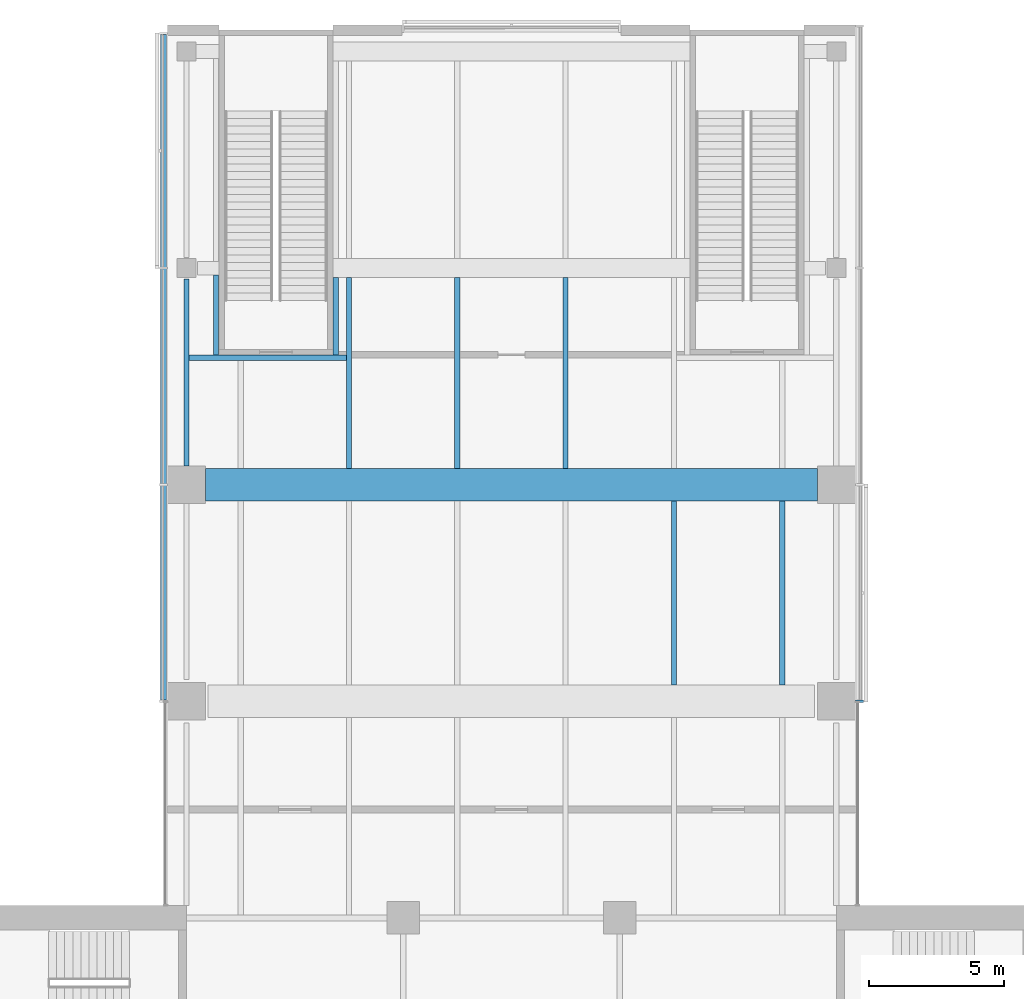
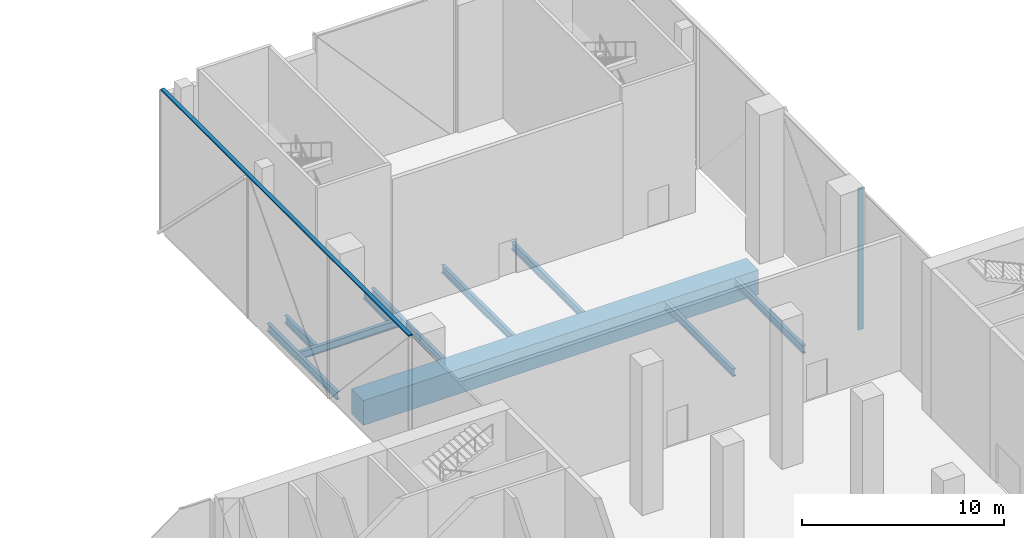
# One storey, part 9 of 26: 10 beams, 2 members, 2 elements without a shape of their own.
"""IFC4 building model written with IfcOpenShell, lengths in metres."""

from ifc_helpers import new_model, si_unit, direction, frame, origin, origin_2d, place, context, subcontext, project, spatial, rectangle, i_section, extrude, material, material_profile, profile_set, type_object, element, aggregate, save


model = new_model("IFC4")

# Units and contexts
model_context = context("Model", 3, precision=1e-05, world=origin(), true_north=direction((0.0, 1.0)))
body_context = subcontext(model_context, "Body", "Model", "MODEL_VIEW")
ifc_project = project(units=[si_unit("LENGTHUNIT", "METRE"), si_unit("AREAUNIT", "SQUARE_METRE"), si_unit("VOLUMEUNIT", "CUBIC_METRE"), si_unit("PLANEANGLEUNIT", "RADIAN"), si_unit("MASSUNIT", "GRAM", prefix="KILO")], contexts=[model_context])

# Site, building, storey
site_placement = place(None, origin())
site = spatial("IfcSite", under=ifc_project, at=site_placement, CompositionType="ELEMENT")
building_placement = place(site_placement, origin())
building = spatial("IfcBuilding", under=site, at=building_placement, Name="Crosswind Convention Tower", CompositionType="ELEMENT")
storey_placement = place(building_placement, frame((0.0, 0.0, 25.0)))
storey = spatial("IfcBuildingStorey", under=building, at=storey_placement, Name="L03", CompositionType="ELEMENT", Elevation=25.0)

# Beam
ifc_material_1 = material(Name="Steel S355", Category="steel")
ifc_material_profile_1 = material_profile(ifc_material_1, i_section(OverallWidth=0.19287109375, OverallDepth=0.467529296875, WebThickness=0.011474609375, FlangeThickness=0.01953125, FilletRadius=0.01025390625, at=origin_2d()), Name="UB 457x191x98")
ifc_profile_set_1 = profile_set([ifc_material_profile_1], Name="Steel S355")
beam_type_1 = type_object("IfcBeamType", Name="Edge beam UB 457x191x98", PredefinedType="SPANDREL", material=ifc_profile_set_1)
beam_1_placement = place(storey_placement, frame((113.0, 128.699951171875, -0.6337890625), z_axis=(0.0, 1.0, 0.0), x_axis=(-1.0, 0.0, 0.0)))
element("IfcBeam", 1, at=beam_1_placement, inside=storey, type_object=beam_type_1, Name="B20 L03 edge beam 11", PredefinedType="SPANDREL", context=body_context, shape_type="SweptSolid", body=[
    extrude(i_section(OverallWidth=0.19287109375, OverallDepth=0.467529296875, WebThickness=0.011474609375, FlangeThickness=0.01953125, FilletRadius=0.01025390625, at=origin_2d()), origin(), (0.0, 0.0, 1.0), 6.900146484375),
])

# Curtain wall, member
ifc_material_2 = material(Name="Aluminium unitised curtain wall", Category="aluminium")
curtain_wall_type = type_object("IfcCurtainWallType", Name="PODIUM UNITISED WALL 300", PredefinedType="USERDEFINED", material=ifc_material_2)
curtain_wall_1_placement = place(storey_placement, origin())
curtain_wall_1 = element("IfcCurtainWall", 2, at=curtain_wall_1_placement, inside=storey, type_object=curtain_wall_type, Name="CW1 L03 N-E 1", ObjectType="UNITISED", PredefinedType="USERDEFINED")
ifc_material_3 = material(Name="Aluminium mullion", Category="aluminium")
ifc_material_profile_2 = material_profile(ifc_material_3, rectangle(XDim=0.300048828125, YDim=0.080078125, at=origin_2d()), Name="AL 300X80")
ifc_profile_set_2 = profile_set([ifc_material_profile_2], Name="Aluminium mullion")
member_type_1 = type_object("IfcMemberType", Name="MULLION 80X300", PredefinedType="MULLION", material=ifc_profile_set_2)
member_1_placement = place(storey_placement, frame((137.85009765625, 120.0, -0.044921875), z_axis=(0.0, 0.0, 1.0), x_axis=(1.0, 0.0, 0.0)))
member_1 = element("IfcMember", 3, at=member_1_placement, type_object=member_type_1, Name="CW1 mullion 1", PredefinedType="MULLION", context=body_context, shape_type="SweptSolid", body=[
    extrude(rectangle(XDim=0.300048828125, YDim=0.080078125, at=origin_2d()), origin(), (0.0, 0.0, 1.0), 8.56494140625),
])
aggregate(curtain_wall_1, [member_1])

# Beams
ifc_material_4 = material(Name="Concrete C70/85", Category="concrete")
ifc_material_profile_3 = material_profile(ifc_material_4, rectangle(XDim=1.199951171875, YDim=1.5, at=origin_2d()), Name="RC 1200X1500")
ifc_profile_set_3 = profile_set([ifc_material_profile_3], Name="Concrete C70/85")
beam_type_2 = type_object("IfcBeamType", Name="Prestressed concrete girder RC 1200X1500", PredefinedType="BEAM", material=ifc_profile_set_3)
beam_2_placement = place(storey_placement, frame((113.699951171875, 128.0, -1.14990234375), z_axis=(1.0, 0.0, 0.0), x_axis=(0.0, 1.0, 0.0)))
element("IfcBeam", 4, at=beam_2_placement, inside=storey, type_object=beam_type_2, Name="B39 L03 prestressed concrete girder 2", PredefinedType="BEAM", context=body_context, shape_type="SweptSolid", body=[
    extrude(rectangle(XDim=1.199951171875, YDim=1.5, at=origin_2d()), origin(), (0.0, 0.0, 1.0), 22.60009765625),
])
ifc_material_profile_4 = material_profile(ifc_material_1, i_section(OverallWidth=0.19140625, OverallDepth=0.460205078125, WebThickness=0.010009765625, FlangeThickness=0.01611328125, FilletRadius=0.01025390625, at=origin_2d()), Name="UB 457x191x82")
ifc_profile_set_4 = profile_set([ifc_material_profile_4], Name="Steel S355")
beam_type_3 = type_object("IfcBeamType", Name="Secondary beam UB 457x191x82", PredefinedType="JOIST", material=ifc_profile_set_4)
for number, where, z_axis, x_axis, name in (
    (5, (119.0, 128.60009765625, -0.630126953125), (0.0, 1.0, 0.0), (-1.0, 0.0, 0.0), "B13 L03 secondary beam 26"),
    (6, (123.0, 128.60009765625, -0.630126953125), (0.0, 1.0, 0.0), (-1.0, 0.0, 0.0), "B13 L03 secondary beam 37"),
    (7, (127.0, 128.60009765625, -0.630126953125), (0.0, 1.0, 0.0), (-1.0, 0.0, 0.0), "B13 L03 secondary beam 45"),
):
    element("IfcBeam", number, at=place(storey_placement, frame(where, z_axis=z_axis, x_axis=x_axis)), inside=storey, type_object=beam_type_3, Name=name, PredefinedType="JOIST", context=body_context, shape_type="SweptSolid", body=[
        extrude(i_section(OverallWidth=0.19140625, OverallDepth=0.460205078125, WebThickness=0.010009765625, FlangeThickness=0.01611328125, FilletRadius=0.01025390625, at=origin_2d()), origin(), (0.0, 0.0, 1.0), 7.0498046875),
    ])
for number, where, z_axis, x_axis, name in (
    (8, (131.0, 120.60009765625, -0.630126953125), (0.0, 1.0, 0.0), (-1.0, 0.0, 0.0), "B13 L03 secondary beam 55"),
    (9, (135.0, 120.60009765625, -0.630126953125), (0.0, 1.0, 0.0), (-1.0, 0.0, 0.0), "B13 L03 secondary beam 62"),
):
    element("IfcBeam", number, at=place(storey_placement, frame(where, z_axis=z_axis, x_axis=x_axis)), inside=storey, type_object=beam_type_3, Name=name, PredefinedType="JOIST", context=body_context, shape_type="SweptSolid", body=[
        extrude(i_section(OverallWidth=0.19140625, OverallDepth=0.460205078125, WebThickness=0.010009765625, FlangeThickness=0.01611328125, FilletRadius=0.01025390625, at=origin_2d()), origin(), (0.0, 0.0, 1.0), 6.7998046875),
    ])

# Curtain wall, member
curtain_wall_2_placement = place(storey_placement, origin())
curtain_wall_2 = element("IfcCurtainWall", 10, at=curtain_wall_2_placement, inside=storey, type_object=curtain_wall_type, Name="CW1 L03 N-W 1", ObjectType="UNITISED", PredefinedType="USERDEFINED")
ifc_material_5 = material(Name="Aluminium transom", Category="aluminium")
ifc_material_profile_5 = material_profile(ifc_material_5, rectangle(XDim=0.219970703125, YDim=0.080078125, at=origin_2d()), Name="AL 220X80")
ifc_profile_set_5 = profile_set([ifc_material_profile_5], Name="Aluminium transom")
member_type_2 = type_object("IfcMemberType", Name="TRANSOM 80X220", PredefinedType="USERDEFINED", material=ifc_profile_set_5)
member_2_placement = place(storey_placement, frame((112.14990234375, 144.6201171875, 8.56005859375), z_axis=(0.0, -1.0, 0.0), x_axis=(1.0, 0.0, 0.0)))
member_2 = element("IfcMember", 11, at=member_2_placement, type_object=member_type_2, Name="CW1 transom", ObjectType="TRANSOM", PredefinedType="USERDEFINED", context=body_context, shape_type="SweptSolid", body=[
    extrude(rectangle(XDim=0.219970703125, YDim=0.080078125, at=origin_2d()), origin(), (0.0, 0.0, 1.0), 24.580078125),
])
aggregate(curtain_wall_2, [member_2])

# Beams
ifc_material_profile_6 = material_profile(ifc_material_1, i_section(OverallWidth=0.19189453125, OverallDepth=0.463623046875, WebThickness=0.010498046875, FlangeThickness=0.017578125, FilletRadius=0.01025390625, at=origin_2d()), Name="UB 457x191x90")
ifc_profile_set_6 = profile_set([ifc_material_profile_6], Name="Steel S355")
beam_type_4 = type_object("IfcBeamType", Name="Trimmer beam UB 457x191x90", PredefinedType="BEAM", material=ifc_profile_set_6)
beam_3_placement = place(storey_placement, frame((113.096435546875, 132.68994140625, -0.6318359375), z_axis=(1.0, 0.0, 0.0), x_axis=(0.0, 1.0, 0.0)))
element("IfcBeam", 12, at=beam_3_placement, inside=storey, type_object=beam_type_4, Name="B33 L03 trimmer beam 12", PredefinedType="BEAM", context=body_context, shape_type="SweptSolid", body=[
    extrude(i_section(OverallWidth=0.19189453125, OverallDepth=0.463623046875, WebThickness=0.010498046875, FlangeThickness=0.017578125, FilletRadius=0.01025390625, at=origin_2d()), origin(), (0.0, 0.0, 1.0), 5.807861328125),
])
beam_4_placement = place(storey_placement, frame((114.090087890625, 132.785888671875, -0.6318359375), z_axis=(0.0, 1.0, 0.0), x_axis=(-1.0, 0.0, 0.0)))
element("IfcBeam", 13, at=beam_4_placement, inside=storey, type_object=beam_type_4, Name="B33 L03 trimmer beam 15", PredefinedType="BEAM", context=body_context, shape_type="SweptSolid", body=[
    extrude(i_section(OverallWidth=0.19189453125, OverallDepth=0.463623046875, WebThickness=0.010498046875, FlangeThickness=0.017578125, FilletRadius=0.01025390625, at=origin_2d()), origin(), (0.0, 0.0, 1.0), 2.964111328125),
])
beam_5_placement = place(storey_placement, frame((118.510009765625, 132.785888671875, -0.6318359375), z_axis=(0.0, 1.0, 0.0), x_axis=(-1.0, 0.0, 0.0)))
element("IfcBeam", 14, at=beam_5_placement, inside=storey, type_object=beam_type_4, Name="B33 L03 trimmer beam 19", PredefinedType="BEAM", context=body_context, shape_type="SweptSolid", body=[
    extrude(i_section(OverallWidth=0.19189453125, OverallDepth=0.463623046875, WebThickness=0.010498046875, FlangeThickness=0.017578125, FilletRadius=0.01025390625, at=origin_2d()), origin(), (0.0, 0.0, 1.0), 2.864013671875),
])

save(model, "model.ifc")
